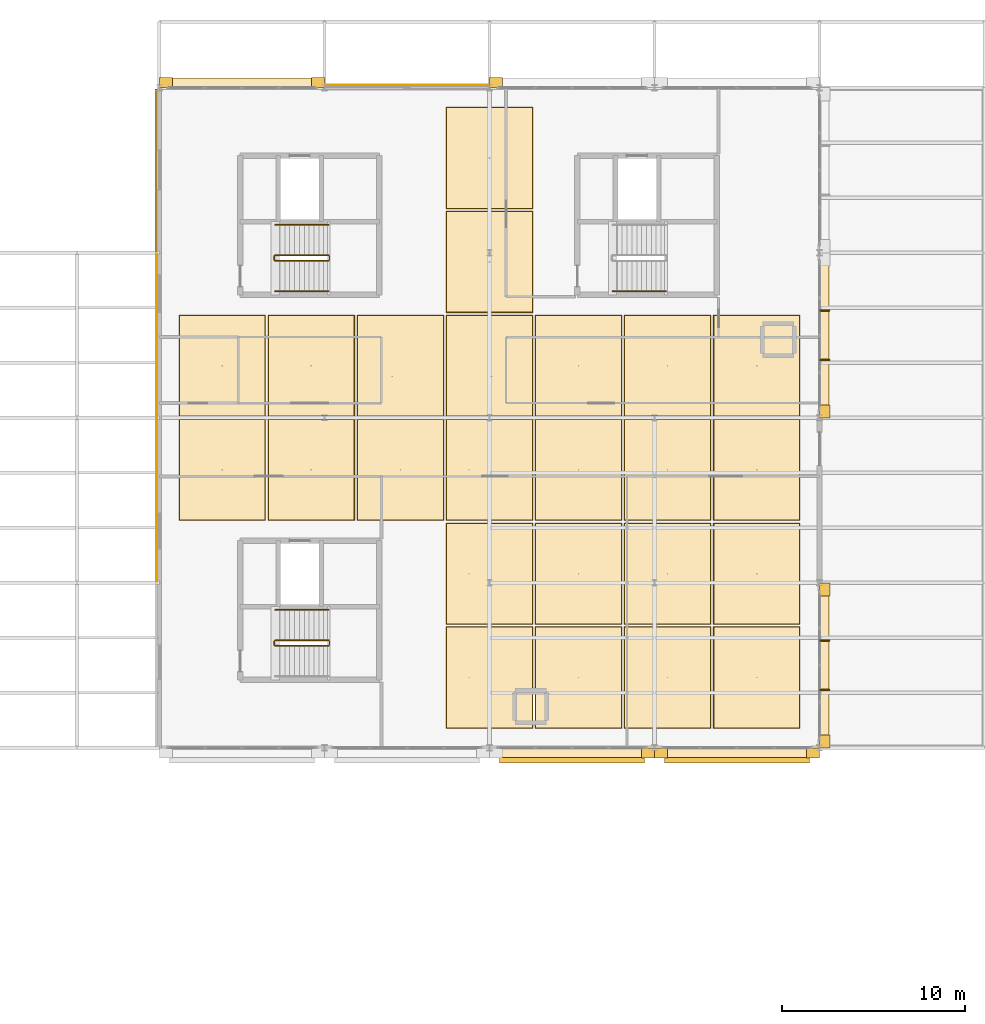
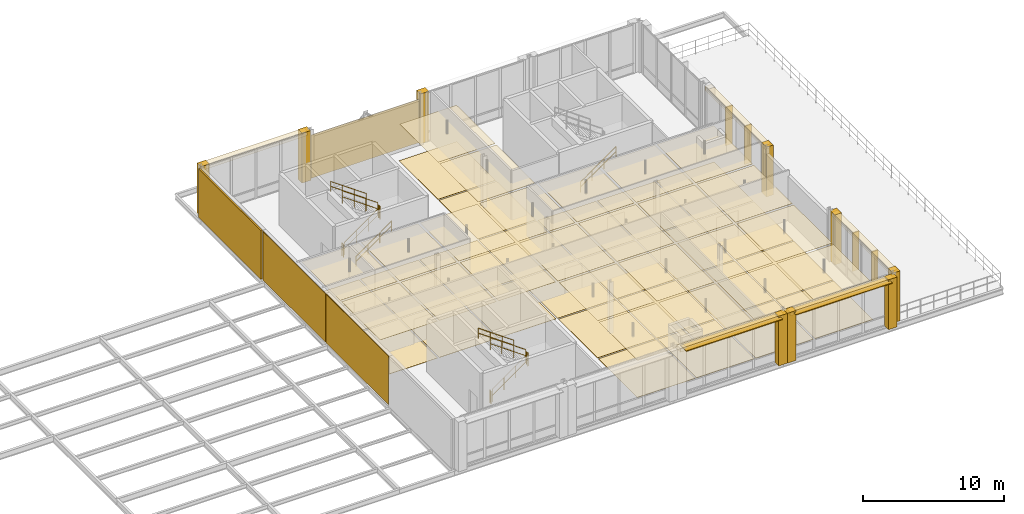
# One storey, part 65 of 66: 66 coverings, 12 railings, 6 shading devices.
"""IFC4 building model written with IfcOpenShell, lengths in metres."""

from ifc_helpers import new_model, si_unit, direction, frame, origin, origin_2d, place, context, subcontext, project, spatial, rectangle, circle, extrude, material, layer, layer_set, type_object, element, save


model = new_model("IFC4")

# Units and contexts
model_context = context("Model", 3, precision=1e-05, world=origin(), true_north=direction((0.0, 1.0)))
body_context = subcontext(model_context, "Body", "Model", "MODEL_VIEW")
ifc_project = project(units=[si_unit("LENGTHUNIT", "METRE"), si_unit("AREAUNIT", "SQUARE_METRE"), si_unit("VOLUMEUNIT", "CUBIC_METRE"), si_unit("PLANEANGLEUNIT", "RADIAN"), si_unit("MASSUNIT", "GRAM", prefix="KILO"), si_unit("THERMODYNAMICTEMPERATUREUNIT", "KELVIN"), si_unit("POWERUNIT", "WATT")], contexts=[model_context])

# Site, building, storey
site_placement = place(None, origin())
site = spatial("IfcSite", under=ifc_project, at=site_placement, CompositionType="ELEMENT")
building_placement = place(site_placement, origin())
building = spatial("IfcBuilding", under=site, at=building_placement, Name="Tallowbark Science Centre", CompositionType="ELEMENT")
storey_placement = place(building_placement, frame((0.0, 0.0, 18.89990234375)))
storey = spatial("IfcBuildingStorey", under=building, at=storey_placement, Name="L04", CompositionType="ELEMENT", Elevation=18.89990234375)

# Coverings
ifc_material_1 = material(Name="Mineral-Fibre Acoustic Ceiling Tile Grid")
ifc_layer_1 = layer(ifc_material_1, 0.01806640625)
ifc_layer_set_1 = layer_set([ifc_layer_1], Name="Mineral-Fibre Acoustic Ceiling Tile Grid")
covering_type_1 = type_object("IfcCoveringType", Name="CLG-ACT-18", PredefinedType="CEILING", material=ifc_layer_set_1)
for number, where, z_axis, x_axis, name in (
    (1, (115.9287109375, 87.166748046875, 3.191162109375), (0.0, 0.0, 1.0), (1.0, 0.0, 0.0), "Suspended Ceiling L04-1116"),
    (2, (115.9287109375, 92.833251953125, 3.191162109375), (0.0, 0.0, 1.0), (1.0, 0.0, 0.0), "Suspended Ceiling L04-1117"),
    (3, (120.78564453125, 87.166748046875, 3.191162109375), (0.0, 0.0, 1.0), (1.0, 0.0, 0.0), "Suspended Ceiling L04-1118"),
    (4, (120.78564453125, 92.833251953125, 3.191162109375), (0.0, 0.0, 1.0), (1.0, 0.0, 0.0), "Suspended Ceiling L04-1119"),
    (5, (125.642822265625, 87.166748046875, 3.191162109375), (0.0, 0.0, 1.0), (1.0, 0.0, 0.0), "Suspended Ceiling L04-1120"),
    (6, (125.642822265625, 92.833251953125, 3.191162109375), (0.0, 0.0, 1.0), (1.0, 0.0, 0.0), "Suspended Ceiling L04-1121"),
    (7, (130.5, 75.833251953125, 3.191162109375), (0.0, 0.0, 1.0), (1.0, 0.0, 0.0), "Suspended Ceiling L04-1122"),
    (8, (130.5, 81.5, 3.191162109375), (0.0, 0.0, 1.0), (1.0, 0.0, 0.0), "Suspended Ceiling L04-1123"),
    (9, (130.5, 87.166748046875, 3.191162109375), (0.0, 0.0, 1.0), (1.0, 0.0, 0.0), "Suspended Ceiling L04-1124"),
    (10, (130.5, 92.833251953125, 3.191162109375), (0.0, 0.0, 1.0), (1.0, 0.0, 0.0), "Suspended Ceiling L04-1125"),
    (11, (130.5, 98.5, 3.191162109375), (0.0, 0.0, 1.0), (1.0, 0.0, 0.0), "Suspended Ceiling L04-1126"),
    (12, (130.5, 104.166748046875, 3.191162109375), (0.0, 0.0, 1.0), (1.0, 0.0, 0.0), "Suspended Ceiling L04-1127"),
    (13, (135.357177734375, 75.833251953125, 3.191162109375), (0.0, 0.0, 1.0), (1.0, 0.0, 0.0), "Suspended Ceiling L04-1128"),
    (14, (135.357177734375, 81.5, 3.191162109375), (0.0, 0.0, 1.0), (1.0, 0.0, 0.0), "Suspended Ceiling L04-1129"),
    (15, (135.357177734375, 87.166748046875, 3.191162109375), (0.0, 0.0, 1.0), (1.0, 0.0, 0.0), "Suspended Ceiling L04-1130"),
    (16, (135.357177734375, 92.833251953125, 3.191162109375), (0.0, 0.0, 1.0), (1.0, 0.0, 0.0), "Suspended Ceiling L04-1131"),
    (17, (140.21435546875, 75.833251953125, 3.191162109375), (0.0, 0.0, 1.0), (1.0, 0.0, 0.0), "Suspended Ceiling L04-1132"),
    (18, (140.21435546875, 81.5, 3.191162109375), (0.0, 0.0, 1.0), (1.0, 0.0, 0.0), "Suspended Ceiling L04-1133"),
    (19, (140.21435546875, 87.166748046875, 3.191162109375), (0.0, 0.0, 1.0), (1.0, 0.0, 0.0), "Suspended Ceiling L04-1134"),
    (20, (140.21435546875, 92.833251953125, 3.191162109375), (0.0, 0.0, 1.0), (1.0, 0.0, 0.0), "Suspended Ceiling L04-1135"),
    (21, (145.0712890625, 75.833251953125, 3.191162109375), (0.0, 0.0, 1.0), (1.0, 0.0, 0.0), "Suspended Ceiling L04-1136"),
    (22, (145.0712890625, 81.5, 3.191162109375), (0.0, 0.0, 1.0), (1.0, 0.0, 0.0), "Suspended Ceiling L04-1137"),
    (23, (145.0712890625, 87.166748046875, 3.191162109375), (0.0, 0.0, 1.0), (1.0, 0.0, 0.0), "Suspended Ceiling L04-1138"),
    (24, (145.0712890625, 92.833251953125, 3.191162109375), (0.0, 0.0, 1.0), (1.0, 0.0, 0.0), "Suspended Ceiling L04-1139"),
):
    element("IfcCovering", number, at=place(storey_placement, frame(where, z_axis=z_axis, x_axis=x_axis)), inside=storey, type_object=covering_type_1, Name=name, PredefinedType="CEILING", context=body_context, shape_type="SweptSolid", body=[
        extrude(rectangle(XDim=4.677001953125, YDim=5.48681640625, at=origin_2d()), origin(), (0.0, 0.0, 1.0), 0.01806640625),
    ])
ifc_material_2 = material(Name="White Architectural Precast Concrete Grade N40 (40 MPa)", Category="concrete")
ifc_layer_2 = layer(ifc_material_2, 0.1201171875)
ifc_layer_set_2 = layer_set([ifc_layer_2], Name="White Architectural Precast Concrete Grade N40 (40 MPa)")
covering_type_2 = type_object("IfcCoveringType", Name="COV-PRC-CLAD", PredefinedType="CLADDING", material=ifc_layer_set_2)
for number, where, z_axis, x_axis, name in (
    (25, (121.14501953125, 108.280029296875, 0.0), (0.0, 0.0, 1.0), (-1.0, 0.0, 0.0), "Postmodern Deep Precast Pier CW-L04-191-1"),
    (26, (112.85498046875, 108.280029296875, 0.0), (0.0, 0.0, 1.0), (-1.0, 0.0, 0.0), "Postmodern Deep Precast Pier CW-L04-191-2"),
    (27, (139.14501953125, 71.719970703125, 0.0), (0.0, 0.0, 1.0), (1.0, 0.0, 0.0), "Postmodern Deep Precast Pier CW-L04-193-2"),
    (28, (130.85498046875, 108.280029296875, 0.0), (0.0, 0.0, 1.0), (-1.0, 0.0, 0.0), "Postmodern Deep Precast Pier CW-L04-194-2"),
    (29, (139.85498046875, 71.719970703125, 0.0), (0.0, 0.0, 1.0), (1.0, 0.0, 0.0), "Postmodern Deep Precast Pier CW-L04-195-1"),
    (30, (148.14501953125, 71.719970703125, 0.0), (0.0, 0.0, 1.0), (1.0, 0.0, 0.0), "Postmodern Deep Precast Pier CW-L04-195-2"),
    (31, (148.780029296875, 72.35498046875, 0.0), (0.0, 0.0, 1.0), (0.0, 1.0, 0.0), "Postmodern Deep Precast Pier CW-L04-197-1"),
    (32, (148.780029296875, 80.64501953125, 0.0), (0.0, 0.0, 1.0), (0.0, 1.0, 0.0), "Postmodern Deep Precast Pier CW-L04-197-2"),
    (33, (148.780029296875, 90.35498046875, 0.0), (0.0, 0.0, 1.0), (0.0, 1.0, 0.0), "Postmodern Deep Precast Pier CW-L04-198-1"),
):
    element("IfcCovering", number, at=place(storey_placement, frame(where, z_axis=z_axis, x_axis=x_axis)), inside=storey, type_object=covering_type_2, Name=name, PredefinedType="CLADDING", context=body_context, shape_type="SweptSolid", body=[
        extrude(rectangle(XDim=0.7099609375, YDim=0.56005859375, at=origin_2d()), origin(), (0.0, 0.0, 1.0), 4.320068359375),
    ])
covering_1_placement = place(storey_placement, frame((112.31494140625, 103.5, 0.05029296875), z_axis=(0.0, 0.0, 1.0), x_axis=(0.0, -1.0, 0.0)))
element("IfcCovering", 34, at=covering_1_placement, inside=storey, type_object=covering_type_2, Name="Architectural Rainscreen OBS4-W-99", PredefinedType="CLADDING", context=body_context, shape_type="SweptSolid", body=[
    extrude(rectangle(XDim=8.8798828125, YDim=0.1201171875, at=origin_2d()), origin(), (0.0, 0.0, 1.0), 4.219970703125),
])
ifc_material_3 = material(Name="Vitrified Ochre Terracotta Architectural Rainscreen", Category="masonry")
ifc_layer_3 = layer(ifc_material_3, 0.0380859375)
ifc_layer_set_3 = layer_set([ifc_layer_3], Name="Vitrified Ochre Terracotta Architectural Rainscreen")
covering_type_3 = type_object("IfcCoveringType", Name="COV-TER-CLAD", PredefinedType="CLADDING", material=ifc_layer_set_3)
covering_2_placement = place(storey_placement, frame((117.0, 108.260009765625, 3.97021484375), z_axis=(0.0, 0.0, 1.0), x_axis=(-1.0, 0.0, 0.0)))
element("IfcCovering", 35, at=covering_2_placement, inside=storey, type_object=covering_type_3, Name="Postmodern Terracotta Cornice Band CW-L04-191", PredefinedType="CLADDING", context=body_context, shape_type="SweptSolid", body=[
    extrude(rectangle(XDim=8.5, YDim=0.52001953125, at=origin_2d()), origin(), (0.0, 0.0, 1.0), 0.340087890625),
])
covering_3_placement = place(storey_placement, frame((126.0, 108.14404296875, 0.050048828125), z_axis=(0.0, 0.0, 1.0), x_axis=(-1.0, 0.0, 0.0)))
element("IfcCovering", 36, at=covering_3_placement, inside=storey, type_object=covering_type_3, Name="Architectural Rainscreen OBS4-N-CBF", PredefinedType="CLADDING", context=body_context, shape_type="SweptSolid", body=[
    extrude(rectangle(XDim=8.8798828125, YDim=0.0380859375, at=origin_2d()), origin(), (0.0, 0.0, 1.0), 3.74609375),
])
for number, where, z_axis, x_axis, name in (
    (37, (135.0, 71.739990234375, 3.97021484375), (0.0, 0.0, 1.0), (1.0, 0.0, 0.0), "Postmodern Terracotta Cornice Band CW-L04-193"),
    (38, (144.0, 71.739990234375, 3.97021484375), (0.0, 0.0, 1.0), (1.0, 0.0, 0.0), "Postmodern Terracotta Cornice Band CW-L04-195"),
    (39, (148.760009765625, 76.5, 3.97021484375), (0.0, 0.0, 1.0), (0.0, 1.0, 0.0), "Postmodern Terracotta Cornice Band CW-L04-197"),
):
    element("IfcCovering", number, at=place(storey_placement, frame(where, z_axis=z_axis, x_axis=x_axis)), inside=storey, type_object=covering_type_3, Name=name, PredefinedType="CLADDING", context=body_context, shape_type="SweptSolid", body=[
        extrude(rectangle(XDim=8.5, YDim=0.52001953125, at=origin_2d()), origin(), (0.0, 0.0, 1.0), 0.340087890625),
    ])
covering_4_placement = place(storey_placement, frame((112.35595703125, 85.5, 0.05029296875), z_axis=(0.0, 0.0, 1.0), x_axis=(0.0, -1.0, 0.0)))
element("IfcCovering", 40, at=covering_4_placement, inside=storey, type_object=covering_type_3, Name="Architectural Rainscreen OBS4-W-81", PredefinedType="CLADDING", context=body_context, shape_type="SweptSolid", body=[
    extrude(rectangle(XDim=8.8798828125, YDim=0.0380859375, at=origin_2d()), origin(), (0.0, 0.0, 1.0), 4.219970703125),
])
covering_5_placement = place(storey_placement, frame((148.760009765625, 94.5, 3.97021484375), z_axis=(0.0, 0.0, 1.0), x_axis=(0.0, 1.0, 0.0)))
element("IfcCovering", 41, at=covering_5_placement, inside=storey, type_object=covering_type_3, Name="Postmodern Terracotta Cornice Band CW-L04-198", PredefinedType="CLADDING", context=body_context, shape_type="SweptSolid", body=[
    extrude(rectangle(XDim=8.5, YDim=0.52001953125, at=origin_2d()), origin(), (0.0, 0.0, 1.0), 0.340087890625),
])
covering_6_placement = place(storey_placement, frame((112.35595703125, 94.5, 0.05029296875), z_axis=(0.0, 0.0, 1.0), x_axis=(0.0, -1.0, 0.0)))
element("IfcCovering", 42, at=covering_6_placement, inside=storey, type_object=covering_type_3, Name="Architectural Rainscreen OBS4-W-90", PredefinedType="CLADDING", context=body_context, shape_type="SweptSolid", body=[
    extrude(rectangle(XDim=8.8798828125, YDim=0.0380859375, at=origin_2d()), origin(), (0.0, 0.0, 1.0), 4.219970703125),
])
ifc_material_4 = material(Name="Engineered Blackbutt Gallery Timber Flooring", Category="wood")
ifc_layer_4 = layer(ifc_material_4, 0.02197265625)
ifc_layer_set_4 = layer_set([ifc_layer_4], Name="Engineered Blackbutt Gallery Timber Flooring")
covering_type_4 = type_object("IfcCoveringType", Name="FLR-TIM-22", PredefinedType="FLOORING", material=ifc_layer_set_4)
for number, where, z_axis, x_axis, name in (
    (43, (115.9287109375, 87.166748046875, 0.0), (0.0, 0.0, 1.0), (1.0, 0.0, 0.0), "Floor Finish L04-1116"),
    (44, (115.9287109375, 92.833251953125, 0.0), (0.0, 0.0, 1.0), (1.0, 0.0, 0.0), "Floor Finish L04-1117"),
    (45, (120.78564453125, 87.166748046875, 0.0), (0.0, 0.0, 1.0), (1.0, 0.0, 0.0), "Floor Finish L04-1118"),
    (46, (120.78564453125, 92.833251953125, 0.0), (0.0, 0.0, 1.0), (1.0, 0.0, 0.0), "Floor Finish L04-1119"),
    (47, (125.642822265625, 87.166748046875, 0.0), (0.0, 0.0, 1.0), (1.0, 0.0, 0.0), "Floor Finish L04-1120"),
    (48, (125.642822265625, 92.833251953125, 0.0), (0.0, 0.0, 1.0), (1.0, 0.0, 0.0), "Floor Finish L04-1121"),
    (49, (130.5, 75.833251953125, 0.0), (0.0, 0.0, 1.0), (1.0, 0.0, 0.0), "Floor Finish L04-1122"),
    (50, (130.5, 81.5, 0.0), (0.0, 0.0, 1.0), (1.0, 0.0, 0.0), "Floor Finish L04-1123"),
    (51, (130.5, 87.166748046875, 0.0), (0.0, 0.0, 1.0), (1.0, 0.0, 0.0), "Floor Finish L04-1124"),
    (52, (130.5, 92.833251953125, 0.0), (0.0, 0.0, 1.0), (1.0, 0.0, 0.0), "Floor Finish L04-1125"),
    (53, (130.5, 98.5, 0.0), (0.0, 0.0, 1.0), (1.0, 0.0, 0.0), "Floor Finish L04-1126"),
    (54, (130.5, 104.166748046875, 0.0), (0.0, 0.0, 1.0), (1.0, 0.0, 0.0), "Floor Finish L04-1127"),
    (55, (135.357177734375, 75.833251953125, 0.0), (0.0, 0.0, 1.0), (1.0, 0.0, 0.0), "Floor Finish L04-1128"),
    (56, (135.357177734375, 81.5, 0.0), (0.0, 0.0, 1.0), (1.0, 0.0, 0.0), "Floor Finish L04-1129"),
    (57, (135.357177734375, 87.166748046875, 0.0), (0.0, 0.0, 1.0), (1.0, 0.0, 0.0), "Floor Finish L04-1130"),
    (58, (135.357177734375, 92.833251953125, 0.0), (0.0, 0.0, 1.0), (1.0, 0.0, 0.0), "Floor Finish L04-1131"),
    (59, (140.21435546875, 75.833251953125, 0.0), (0.0, 0.0, 1.0), (1.0, 0.0, 0.0), "Floor Finish L04-1132"),
    (60, (140.21435546875, 81.5, 0.0), (0.0, 0.0, 1.0), (1.0, 0.0, 0.0), "Floor Finish L04-1133"),
    (61, (140.21435546875, 87.166748046875, 0.0), (0.0, 0.0, 1.0), (1.0, 0.0, 0.0), "Floor Finish L04-1134"),
    (62, (140.21435546875, 92.833251953125, 0.0), (0.0, 0.0, 1.0), (1.0, 0.0, 0.0), "Floor Finish L04-1135"),
    (63, (145.0712890625, 75.833251953125, 0.0), (0.0, 0.0, 1.0), (1.0, 0.0, 0.0), "Floor Finish L04-1136"),
    (64, (145.0712890625, 81.5, 0.0), (0.0, 0.0, 1.0), (1.0, 0.0, 0.0), "Floor Finish L04-1137"),
    (65, (145.0712890625, 87.166748046875, 0.0), (0.0, 0.0, 1.0), (1.0, 0.0, 0.0), "Floor Finish L04-1138"),
    (66, (145.0712890625, 92.833251953125, 0.0), (0.0, 0.0, 1.0), (1.0, 0.0, 0.0), "Floor Finish L04-1139"),
):
    element("IfcCovering", number, at=place(storey_placement, frame(where, z_axis=z_axis, x_axis=x_axis)), inside=storey, type_object=covering_type_4, Name=name, PredefinedType="FLOORING", context=body_context, shape_type="SweptSolid", body=[
        extrude(rectangle(XDim=4.737060546875, YDim=5.546630859375, at=origin_2d()), origin(), (0.0, 0.0, 1.0), 0.02197265625),
    ])

# Railings
ifc_material_5 = material(Name="Galvanised Painted Steel and Laminated Glass Balustrade", Category="steel")
ifc_layer_5 = layer(ifc_material_5, 0.070068359375)
ifc_layer_set_5 = layer_set([ifc_layer_5], Name="Galvanised Painted Steel and Laminated Glass Balustrade")
railing_type_1 = type_object("IfcRailingType", Name="RLG-BAL-1150", PredefinedType="BALUSTRADE", material=ifc_layer_set_5)
railing_1_placement = place(storey_placement, frame((118.81005859375, 77.56005859375, 0.1875)))
element("IfcRailing", 67, at=railing_1_placement, inside=storey, type_object=railing_type_1, Name="L04 ST-02 stair guard 1", PredefinedType="BALUSTRADE", context=body_context, shape_type="SweptSolid", body=[
    extrude(circle(Radius=0.02392578125, at=origin_2d()), frame((0.0, 0.0, 1.076171875), z_axis=(0.816330724661, 0.0, 0.577584753931), x_axis=(0.0, 1.0, 0.0)), (0.0, 0.0, 1.0), 3.57080078125),
    extrude(circle(Radius=0.02392578125, at=origin_2d()), frame((0.0, 0.0, 0.550048828125), z_axis=(0.816330724661, 0.0, 0.577584753931), x_axis=(0.0, 1.0, 0.0)), (0.0, 0.0, 1.0), 3.57080078125),
    extrude(circle(Radius=0.02099609375, at=origin_2d()), origin(), (0.0, 0.0, 1.0), 1.052001953125),
    extrude(circle(Radius=0.02099609375, at=origin_2d()), frame((0.9716796875, 0.0, 0.6875)), (0.0, 0.0, 1.0), 1.052001953125),
    extrude(circle(Radius=0.02099609375, at=origin_2d()), frame((1.943359375, 0.0, 1.375)), (0.0, 0.0, 1.0), 1.052001953125),
    extrude(circle(Radius=0.02099609375, at=origin_2d()), frame((2.9150390625, 0.0, 2.0625)), (0.0, 0.0, 1.0), 1.052001953125),
])
railing_2_placement = place(storey_placement, frame((121.77490234375, 77.610107421875, 2.25)))
element("IfcRailing", 68, at=railing_2_placement, inside=storey, type_object=railing_type_1, Name="L04 ST-02 stair guard 2", PredefinedType="BALUSTRADE", context=body_context, shape_type="SweptSolid", body=[
    extrude(circle(Radius=0.02392578125, at=origin_2d()), frame((0.0, 0.0, 1.076171875), z_axis=(0.0, 1.0, 0.0), x_axis=(-1.0, 0.0, 0.0)), (0.0, 0.0, 1.0), 0.199951171875),
    extrude(circle(Radius=0.02392578125, at=origin_2d()), frame((0.0, 0.0, 0.550048828125), z_axis=(0.0, 1.0, 0.0), x_axis=(-1.0, 0.0, 0.0)), (0.0, 0.0, 1.0), 0.199951171875),
    extrude(circle(Radius=0.02099609375, at=origin_2d()), origin(), (0.0, 0.0, 1.0), 1.052001953125),
    extrude(circle(Radius=0.02099609375, at=origin_2d()), frame((0.0, 0.199951171875, 0.0)), (0.0, 0.0, 1.0), 1.052001953125),
])
railing_3_placement = place(storey_placement, frame((121.72509765625, 77.860107421875, 2.4375)))
element("IfcRailing", 69, at=railing_3_placement, inside=storey, type_object=railing_type_1, Name="L04 ST-02 stair guard 3", PredefinedType="BALUSTRADE", context=body_context, shape_type="SweptSolid", body=[
    extrude(circle(Radius=0.02392578125, at=origin_2d()), frame((0.0, 0.0, 1.076171875), z_axis=(-0.816330724661, 0.0, 0.577584753931), x_axis=(0.0, -1.0, 0.0)), (0.0, 0.0, 1.0), 3.57080078125),
    extrude(circle(Radius=0.02392578125, at=origin_2d()), frame((0.0, 0.0, 0.550048828125), z_axis=(-0.816330724661, 0.0, 0.577584753931), x_axis=(0.0, -1.0, 0.0)), (0.0, 0.0, 1.0), 3.57080078125),
    extrude(circle(Radius=0.02099609375, at=origin_2d()), origin(), (0.0, 0.0, 1.0), 1.052001953125),
    extrude(circle(Radius=0.02099609375, at=origin_2d()), frame((-0.9716796875, 0.0, 0.6875)), (0.0, 0.0, 1.0), 1.052001953125),
    extrude(circle(Radius=0.02099609375, at=origin_2d()), frame((-1.943359375, 0.0, 1.375)), (0.0, 0.0, 1.0), 1.052001953125),
    extrude(circle(Radius=0.02099609375, at=origin_2d()), frame((-2.9150390625, 0.0, 2.0625)), (0.0, 0.0, 1.0), 1.052001953125),
])
railing_4_placement = place(storey_placement, frame((118.760009765625, 77.610107421875, 0.0)))
element("IfcRailing", 70, at=railing_4_placement, inside=storey, type_object=railing_type_1, Name="L04 ST-02 stair guard 4", PredefinedType="BALUSTRADE", context=body_context, shape_type="SweptSolid", body=[
    extrude(circle(Radius=0.02392578125, at=origin_2d()), frame((0.0, 0.0, 1.076171875), z_axis=(0.0, 1.0, 0.0), x_axis=(-1.0, 0.0, 0.0)), (0.0, 0.0, 1.0), 0.199951171875),
    extrude(circle(Radius=0.02392578125, at=origin_2d()), frame((0.0, 0.0, 0.550048828125), z_axis=(0.0, 1.0, 0.0), x_axis=(-1.0, 0.0, 0.0)), (0.0, 0.0, 1.0), 0.199951171875),
    extrude(circle(Radius=0.02099609375, at=origin_2d()), origin(), (0.0, 0.0, 1.0), 1.052001953125),
    extrude(circle(Radius=0.02099609375, at=origin_2d()), frame((0.0, 0.199951171875, 0.0)), (0.0, 0.0, 1.0), 1.052001953125),
])
railing_5_placement = place(storey_placement, frame((118.81005859375, 98.56005859375, 0.1875)))
element("IfcRailing", 71, at=railing_5_placement, inside=storey, type_object=railing_type_1, Name="L04 ST-05 stair guard 1", PredefinedType="BALUSTRADE", context=body_context, shape_type="SweptSolid", body=[
    extrude(circle(Radius=0.02392578125, at=origin_2d()), frame((0.0, 0.0, 1.076171875), z_axis=(0.816330724661, 0.0, 0.577584753931), x_axis=(0.0, 1.0, 0.0)), (0.0, 0.0, 1.0), 3.57080078125),
    extrude(circle(Radius=0.02392578125, at=origin_2d()), frame((0.0, 0.0, 0.550048828125), z_axis=(0.816330724661, 0.0, 0.577584753931), x_axis=(0.0, 1.0, 0.0)), (0.0, 0.0, 1.0), 3.57080078125),
    extrude(circle(Radius=0.02099609375, at=origin_2d()), origin(), (0.0, 0.0, 1.0), 1.052001953125),
    extrude(circle(Radius=0.02099609375, at=origin_2d()), frame((0.9716796875, 0.0, 0.6875)), (0.0, 0.0, 1.0), 1.052001953125),
    extrude(circle(Radius=0.02099609375, at=origin_2d()), frame((1.943359375, 0.0, 1.375)), (0.0, 0.0, 1.0), 1.052001953125),
    extrude(circle(Radius=0.02099609375, at=origin_2d()), frame((2.9150390625, 0.0, 2.0625)), (0.0, 0.0, 1.0), 1.052001953125),
])
railing_6_placement = place(storey_placement, frame((121.77490234375, 98.610107421875, 2.25)))
element("IfcRailing", 72, at=railing_6_placement, inside=storey, type_object=railing_type_1, Name="L04 ST-05 stair guard 2", PredefinedType="BALUSTRADE", context=body_context, shape_type="SweptSolid", body=[
    extrude(circle(Radius=0.02392578125, at=origin_2d()), frame((0.0, 0.0, 1.076171875), z_axis=(0.0, 1.0, 0.0), x_axis=(-1.0, 0.0, 0.0)), (0.0, 0.0, 1.0), 0.199951171875),
    extrude(circle(Radius=0.02392578125, at=origin_2d()), frame((0.0, 0.0, 0.550048828125), z_axis=(0.0, 1.0, 0.0), x_axis=(-1.0, 0.0, 0.0)), (0.0, 0.0, 1.0), 0.199951171875),
    extrude(circle(Radius=0.02099609375, at=origin_2d()), origin(), (0.0, 0.0, 1.0), 1.052001953125),
    extrude(circle(Radius=0.02099609375, at=origin_2d()), frame((0.0, 0.199951171875, 0.0)), (0.0, 0.0, 1.0), 1.052001953125),
])
railing_7_placement = place(storey_placement, frame((121.72509765625, 98.860107421875, 2.4375)))
element("IfcRailing", 73, at=railing_7_placement, inside=storey, type_object=railing_type_1, Name="L04 ST-05 stair guard 3", PredefinedType="BALUSTRADE", context=body_context, shape_type="SweptSolid", body=[
    extrude(circle(Radius=0.02392578125, at=origin_2d()), frame((0.0, 0.0, 1.076171875), z_axis=(-0.816330724661, 0.0, 0.577584753931), x_axis=(0.0, -1.0, 0.0)), (0.0, 0.0, 1.0), 3.57080078125),
    extrude(circle(Radius=0.02392578125, at=origin_2d()), frame((0.0, 0.0, 0.550048828125), z_axis=(-0.816330724661, 0.0, 0.577584753931), x_axis=(0.0, -1.0, 0.0)), (0.0, 0.0, 1.0), 3.57080078125),
    extrude(circle(Radius=0.02099609375, at=origin_2d()), origin(), (0.0, 0.0, 1.0), 1.052001953125),
    extrude(circle(Radius=0.02099609375, at=origin_2d()), frame((-0.9716796875, 0.0, 0.6875)), (0.0, 0.0, 1.0), 1.052001953125),
    extrude(circle(Radius=0.02099609375, at=origin_2d()), frame((-1.943359375, 0.0, 1.375)), (0.0, 0.0, 1.0), 1.052001953125),
    extrude(circle(Radius=0.02099609375, at=origin_2d()), frame((-2.9150390625, 0.0, 2.0625)), (0.0, 0.0, 1.0), 1.052001953125),
])
railing_8_placement = place(storey_placement, frame((118.760009765625, 98.610107421875, 0.0)))
element("IfcRailing", 74, at=railing_8_placement, inside=storey, type_object=railing_type_1, Name="L04 ST-05 stair guard 4", PredefinedType="BALUSTRADE", context=body_context, shape_type="SweptSolid", body=[
    extrude(circle(Radius=0.02392578125, at=origin_2d()), frame((0.0, 0.0, 1.076171875), z_axis=(0.0, 1.0, 0.0), x_axis=(-1.0, 0.0, 0.0)), (0.0, 0.0, 1.0), 0.199951171875),
    extrude(circle(Radius=0.02392578125, at=origin_2d()), frame((0.0, 0.0, 0.550048828125), z_axis=(0.0, 1.0, 0.0), x_axis=(-1.0, 0.0, 0.0)), (0.0, 0.0, 1.0), 0.199951171875),
    extrude(circle(Radius=0.02099609375, at=origin_2d()), origin(), (0.0, 0.0, 1.0), 1.052001953125),
    extrude(circle(Radius=0.02099609375, at=origin_2d()), frame((0.0, 0.199951171875, 0.0)), (0.0, 0.0, 1.0), 1.052001953125),
])
ifc_material_6 = material(Name="Brushed Grade 316 Stainless Steel Handrail", Category="steel")
ifc_layer_6 = layer(ifc_material_6, 0.050048828125)
ifc_layer_set_6 = layer_set([ifc_layer_6], Name="Brushed Grade 316 Stainless Steel Handrail")
railing_type_2 = type_object("IfcRailingType", Name="RLG-HDR-950", PredefinedType="HANDRAIL", material=ifc_layer_set_6)
railing_9_placement = place(storey_placement, frame((121.72509765625, 79.52001953125, 2.4375)))
element("IfcRailing", 75, at=railing_9_placement, inside=storey, type_object=railing_type_2, Name="L04 ST-02 stair handrail 2", PredefinedType="HANDRAIL", context=body_context, shape_type="SweptSolid", body=[
    extrude(circle(Radius=0.02392578125, at=origin_2d()), frame((0.0, 0.0, 0.8759765625), z_axis=(-0.816330724661, 0.0, 0.577584753931), x_axis=(0.0, -1.0, 0.0)), (0.0, 0.0, 1.0), 3.57080078125),
    extrude(circle(Radius=0.02392578125, at=origin_2d()), frame((0.0, 0.0, 0.449951171875), z_axis=(-0.816330724661, 0.0, 0.577584753931), x_axis=(0.0, -1.0, 0.0)), (0.0, 0.0, 1.0), 3.57080078125),
    extrude(circle(Radius=0.02099609375, at=origin_2d()), origin(), (0.0, 0.0, 1.0), 0.851806640625),
    extrude(circle(Radius=0.02099609375, at=origin_2d()), frame((-0.9716796875, 0.0, 0.6875)), (0.0, 0.0, 1.0), 0.851806640625),
    extrude(circle(Radius=0.02099609375, at=origin_2d()), frame((-1.943359375, 0.0, 1.375)), (0.0, 0.0, 1.0), 0.851806640625),
    extrude(circle(Radius=0.02099609375, at=origin_2d()), frame((-2.9150390625, 0.0, 2.0625)), (0.0, 0.0, 1.0), 0.851806640625),
])
for number, where, name in (
    (76, (137.2099609375, 96.89990234375, 0.1875), "L04 ST-04 stair handrail 1"),
    (77, (118.81005859375, 96.89990234375, 0.1875), "L04 ST-05 stair handrail 1"),
):
    element("IfcRailing", number, at=place(storey_placement, frame(where)), inside=storey, type_object=railing_type_2, Name=name, PredefinedType="HANDRAIL", context=body_context, shape_type="SweptSolid", body=[
        extrude(circle(Radius=0.02392578125, at=origin_2d()), frame((0.0, 0.0, 0.8759765625), z_axis=(0.816330724661, 0.0, 0.577584753931), x_axis=(0.0, 1.0, 0.0)), (0.0, 0.0, 1.0), 3.57080078125),
        extrude(circle(Radius=0.02392578125, at=origin_2d()), frame((0.0, 0.0, 0.449951171875), z_axis=(0.816330724661, 0.0, 0.577584753931), x_axis=(0.0, 1.0, 0.0)), (0.0, 0.0, 1.0), 3.57080078125),
        extrude(circle(Radius=0.02099609375, at=origin_2d()), origin(), (0.0, 0.0, 1.0), 0.851806640625),
        extrude(circle(Radius=0.02099609375, at=origin_2d()), frame((0.9716796875, 0.0, 0.6875)), (0.0, 0.0, 1.0), 0.851806640625),
        extrude(circle(Radius=0.02099609375, at=origin_2d()), frame((1.943359375, 0.0, 1.375)), (0.0, 0.0, 1.0), 0.851806640625),
        extrude(circle(Radius=0.02099609375, at=origin_2d()), frame((2.9150390625, 0.0, 2.0625)), (0.0, 0.0, 1.0), 0.851806640625),
    ])
railing_10_placement = place(storey_placement, frame((121.72509765625, 100.52001953125, 2.4375)))
element("IfcRailing", 78, at=railing_10_placement, inside=storey, type_object=railing_type_2, Name="L04 ST-05 stair handrail 2", PredefinedType="HANDRAIL", context=body_context, shape_type="SweptSolid", body=[
    extrude(circle(Radius=0.02392578125, at=origin_2d()), frame((0.0, 0.0, 0.8759765625), z_axis=(-0.816330724661, 0.0, 0.577584753931), x_axis=(0.0, -1.0, 0.0)), (0.0, 0.0, 1.0), 3.57080078125),
    extrude(circle(Radius=0.02392578125, at=origin_2d()), frame((0.0, 0.0, 0.449951171875), z_axis=(-0.816330724661, 0.0, 0.577584753931), x_axis=(0.0, -1.0, 0.0)), (0.0, 0.0, 1.0), 3.57080078125),
    extrude(circle(Radius=0.02099609375, at=origin_2d()), origin(), (0.0, 0.0, 1.0), 0.851806640625),
    extrude(circle(Radius=0.02099609375, at=origin_2d()), frame((-0.9716796875, 0.0, 0.6875)), (0.0, 0.0, 1.0), 0.851806640625),
    extrude(circle(Radius=0.02099609375, at=origin_2d()), frame((-1.943359375, 0.0, 1.375)), (0.0, 0.0, 1.0), 0.851806640625),
    extrude(circle(Radius=0.02099609375, at=origin_2d()), frame((-2.9150390625, 0.0, 2.0625)), (0.0, 0.0, 1.0), 0.851806640625),
])

# Shading devices
ifc_material_7 = material(Name="Sandstone-Finished Architectural Aluminium Solar Fin", Category="masonry")
shading_device_type_1 = type_object("IfcShadingDeviceType", Name="SHD-FIN-400", PredefinedType="JALOUSIE", material=ifc_material_7)
for number, where, z_axis, x_axis, name in (
    (79, (148.780029296875, 75.14990234375, 0.92529296875), (0.0, 0.0, 1.0), (0.0, 1.0, 0.0), "Vertical Solar Fin CW-L04-197-1"),
    (80, (148.780029296875, 77.85009765625, 0.92529296875), (0.0, 0.0, 1.0), (0.0, 1.0, 0.0), "Vertical Solar Fin CW-L04-197-2"),
    (81, (148.780029296875, 93.14990234375, 0.92529296875), (0.0, 0.0, 1.0), (0.0, 1.0, 0.0), "Vertical Solar Fin CW-L04-198-1"),
    (82, (148.780029296875, 95.85009765625, 0.92529296875), (0.0, 0.0, 1.0), (0.0, 1.0, 0.0), "Vertical Solar Fin CW-L04-198-2"),
):
    element("IfcShadingDevice", number, at=place(storey_placement, frame(where, z_axis=z_axis, x_axis=x_axis)), inside=storey, type_object=shading_device_type_1, Name=name, PredefinedType="JALOUSIE", context=body_context, shape_type="SweptSolid", body=[
        extrude(rectangle(XDim=0.074951171875, YDim=0.550048828125, at=origin_2d()), origin(), (0.0, 0.0, 1.0), 3.320068359375),
    ])
ifc_material_8 = material(Name="Terracotta-Anodised Extruded Aluminium Sunshade Blade", Category="masonry")
ifc_layer_7 = layer(ifc_material_8, 0.054931640625)
ifc_layer_set_7 = layer_set([ifc_layer_7], Name="Terracotta-Anodised Extruded Aluminium Sunshade Blade")
shading_device_type_2 = type_object("IfcShadingDeviceType", Name="SHD-LVR-300", PredefinedType="AWNING", material=ifc_layer_set_7)
for number, where, z_axis, x_axis, name in (
    (83, (135.0, 71.580078125, 4.1328125), (0.0, 0.0, 1.0), (1.0, 0.0, 0.0), "Horizontal Solar Louvre Hood CW-L04-193"),
    (84, (144.0, 71.580078125, 4.1328125), (0.0, 0.0, 1.0), (1.0, 0.0, 0.0), "Horizontal Solar Louvre Hood CW-L04-195"),
):
    element("IfcShadingDevice", number, at=place(storey_placement, frame(where, z_axis=z_axis, x_axis=x_axis)), inside=storey, type_object=shading_device_type_2, Name=name, PredefinedType="AWNING", context=body_context, shape_type="SweptSolid", body=[
        extrude(rectangle(XDim=7.89990234375, YDim=0.840087890625, at=origin_2d()), origin(), (0.0, 0.0, 1.0), 0.054931640625),
    ])

save(model, "model.ifc")
